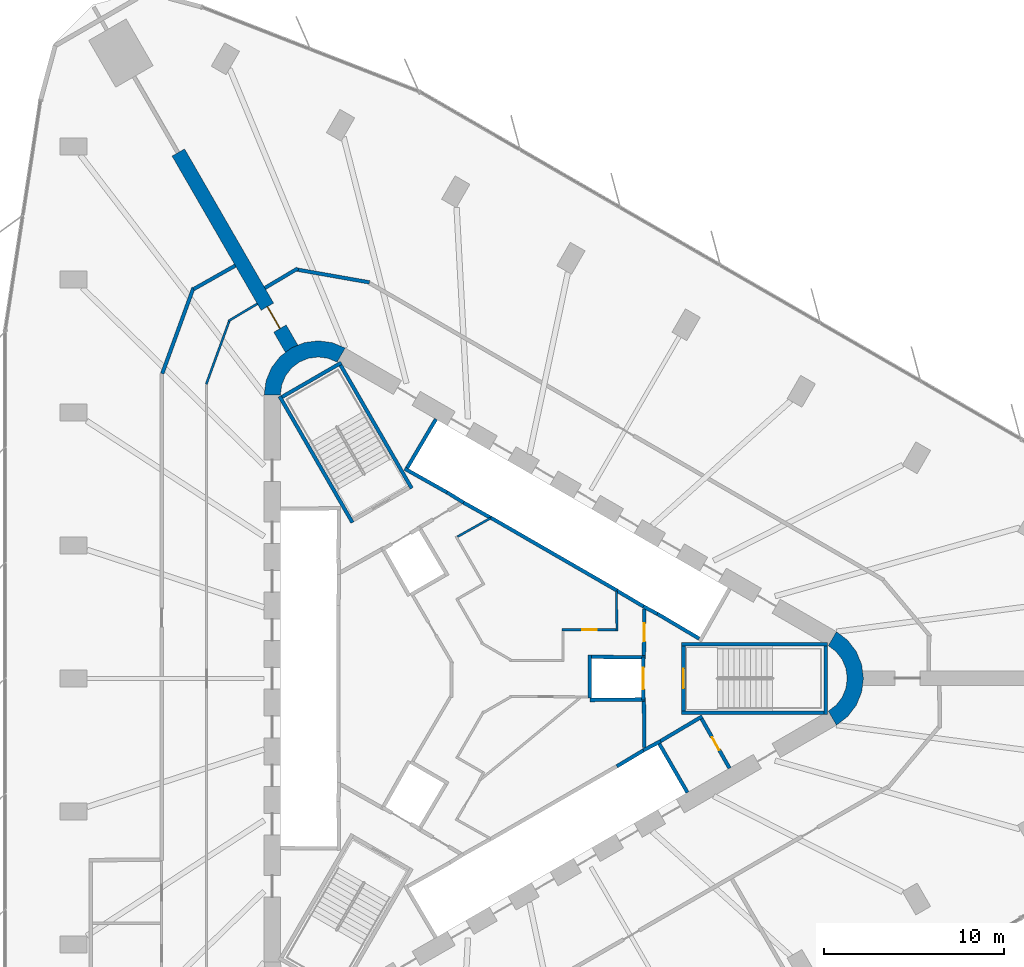
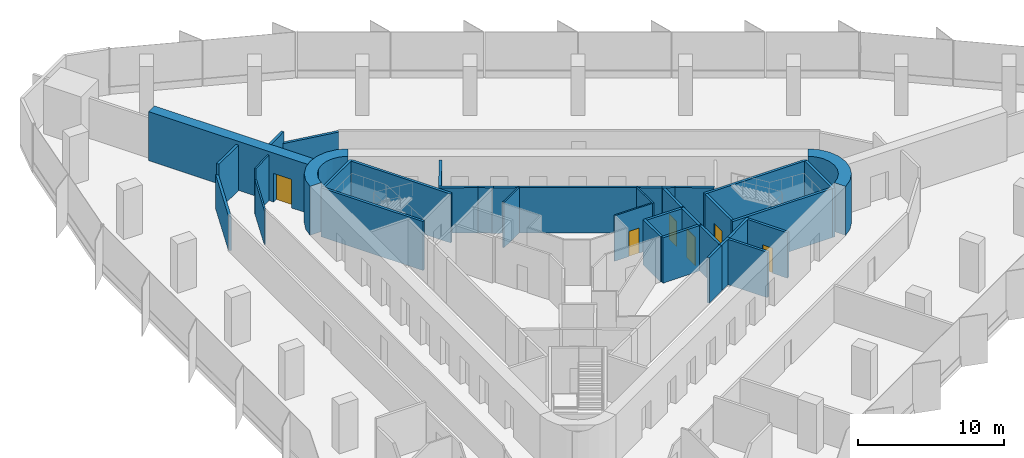
# One storey, part 12 of 15: 38 walls, 6 doors, 6 openings.
"""IFC4 building model written with IfcOpenShell, lengths in metres."""

import ifcopenshell
import ifcopenshell.guid

model = None  # the IFC model being written
_history = None  # IfcOwnerHistory: only IFC2X3 demands one
_inside = {}  # id of a spatial element -> (the spatial element, [elements in it])
_under = {}  # id of a project, library or spatial element -> (it, [spatial elements below it])
_declared = {}  # id of a project -> (the project, [libraries it declares])
_typed = {}  # id of a type object -> (the type object, [elements of that type])
_made_of = {}  # id of a material, layer set ... -> (it, [elements and type objects made of it])


def new_model(schema):
    """Start an empty IFC model of exactly this schema.

    Asked for "IFC4X3", IfcOpenShell would pick the latest addendum, in which some entities
    have other attributes; the version numbers below select the first issue.
    IFC2X3 requires an IfcOwnerHistory on every rooted entity: one is made here for all.
    """
    global model, _history
    if schema == "IFC4X3":
        model = ifcopenshell.file(schema_version=(4, 3, 0, 0))
    else:
        model = ifcopenshell.file(schema=schema)
    _inside.clear()
    _under.clear()
    _declared.clear()
    _typed.clear()
    _made_of.clear()
    _history = None
    if model.schema == "IFC2X3":
        org = make("IfcOrganization", Name="unknown")
        user = make(
            "IfcPersonAndOrganization",
            ThePerson=make("IfcPerson", FamilyName="unknown"),
            TheOrganization=org,
        )
        app = make(
            "IfcApplication",
            ApplicationDeveloper=org,
            Version="unknown",
            ApplicationFullName="unknown",
            ApplicationIdentifier="unknown",
        )
        _history = make(
            "IfcOwnerHistory",
            OwningUser=user,
            OwningApplication=app,
            ChangeAction="ADDED",
            CreationDate=0,
        )
    return model


def make(cls, **values):
    """One entity of the class cls with the attributes given. An attribute that is None is left unset."""
    return model.create_entity(
        cls, **{name: value for name, value in values.items() if value is not None}
    )


def rooted(cls, **values):
    """An entity with a GlobalId (a new one), such as an element, a storey or a relation."""
    return make(cls, GlobalId=ifcopenshell.guid.new(), OwnerHistory=_history, **values)


def si_unit(unit_type, name, prefix=None):
    """IfcSIUnit, for example si_unit("LENGTHUNIT", "METRE", prefix="MILLI")."""
    return make("IfcSIUnit", UnitType=unit_type, Prefix=prefix, Name=name)


def assignment(units):
    """IfcUnitAssignment: the units of a project."""
    return None if units is None else make("IfcUnitAssignment", Units=units)


def point(xyz):
    """IfcCartesianPoint."""
    return None if xyz is None else make("IfcCartesianPoint", Coordinates=xyz)


def direction(xyz):
    """IfcDirection."""
    return None if xyz is None else make("IfcDirection", DirectionRatios=xyz)


def frame(location, z_axis=None, x_axis=None):
    """IfcAxis2Placement3D, a coordinate frame: its origin and axes. An axis left out is left unset."""
    return make(
        "IfcAxis2Placement3D",
        Location=point(location),
        Axis=direction(z_axis),
        RefDirection=direction(x_axis),
    )


def frame_2d(location, x_axis=None):
    """IfcAxis2Placement2D, a coordinate frame in the plane: its origin and x axis."""
    return make(
        "IfcAxis2Placement2D", Location=point(location), RefDirection=direction(x_axis)
    )


def origin():
    """The frame at (0, 0, 0) with its axes left unset."""
    return frame((0.0, 0.0, 0.0))


def place(relative_to, where):
    """IfcLocalPlacement: puts the frame where relative to a parent placement (None: the world)."""
    return make(
        "IfcLocalPlacement", PlacementRelTo=relative_to, RelativePlacement=where
    )


def context(
    kind, dimensions, precision=None, world=None, true_north=None, identifier=None
):
    """IfcGeometricRepresentationContext, for example the 3D "Model" context."""
    return make(
        "IfcGeometricRepresentationContext",
        ContextIdentifier=identifier,
        ContextType=kind,
        CoordinateSpaceDimension=dimensions,
        Precision=precision,
        WorldCoordinateSystem=world,
        TrueNorth=true_north,
    )


def subcontext(parent, identifier, kind, view, scale=None):
    """IfcGeometricRepresentationSubContext, for example "Body" below "Model"."""
    return make(
        "IfcGeometricRepresentationSubContext",
        ContextIdentifier=identifier,
        ContextType=kind,
        ParentContext=parent,
        TargetScale=scale,
        TargetView=view,
    )


def project(units=None, contexts=None):
    """IfcProject with its units and contexts."""
    return rooted(
        "IfcProject",
        Name="project",
        RepresentationContexts=contexts,
        UnitsInContext=assignment(units),
    )


def spatial(cls, under=None, at=None, **own):
    """A site, building, storey or space (cls), placed at a placement, below another one or the project."""
    s = rooted(cls, ObjectPlacement=at, **own)
    if under is not None:
        _under.setdefault(under.id(), (under, []))[1].append(s)
    return s


def polyline(points):
    """IfcPolyline through the points."""
    return make("IfcPolyline", Points=[point(p) for p in points])


def profile(cls, at=None, kind="AREA", **sizes):
    """A parametric profile (cls). Its sizes go by their IFC names, for example OverallWidth=200.0."""
    return make(cls, ProfileType=kind, Position=at, **sizes)


def rectangle(**sizes):
    """IfcRectangleProfileDef."""
    return profile("IfcRectangleProfileDef", **sizes)


def outline(outer, holes=None, kind="AREA"):
    """IfcArbitraryClosedProfileDef: a profile drawn as a closed curve; with holes, ...WithVoids."""
    if holes is None:
        return make("IfcArbitraryClosedProfileDef", ProfileType=kind, OuterCurve=outer)
    return make(
        "IfcArbitraryProfileDefWithVoids",
        ProfileType=kind,
        OuterCurve=outer,
        InnerCurves=holes,
    )


def extrude(swept, where, along, depth):
    """IfcExtrudedAreaSolid: the profile swept, set in the frame where, extruded along a direction by depth."""
    return make(
        "IfcExtrudedAreaSolid",
        SweptArea=swept,
        Position=where,
        ExtrudedDirection=direction(along),
        Depth=depth,
    )


def shape(context_of_items, identifier, shape_type, items):
    """IfcShapeRepresentation: the items that make up one representation, for example the "Body"."""
    return make(
        "IfcShapeRepresentation",
        ContextOfItems=context_of_items,
        RepresentationIdentifier=identifier,
        RepresentationType=shape_type,
        Items=items,
    )


def material(Name=None, Category=None):
    """IfcMaterial."""
    return make("IfcMaterial", Name=Name, Category=Category)


def layer(
    of_material, thickness, ventilated=None, Name=None, Category=None, Priority=None
):
    """IfcMaterialLayer: one layer of a wall or slab, of a material (None: an air gap)."""
    return make(
        "IfcMaterialLayer",
        Material=of_material,
        LayerThickness=thickness,
        IsVentilated=ventilated,
        Name=Name,
        Category=Category,
        Priority=Priority,
    )


def layer_set(layers, Name=None):
    """IfcMaterialLayerSet."""
    return make("IfcMaterialLayerSet", MaterialLayers=layers, LayerSetName=Name)


def made_of(thing, what):
    """Note that an element or type object is made of a material, layer set ...; save() writes the relation."""
    if what is not None:
        _made_of.setdefault(what.id(), (what, []))[1].append(thing)
    return thing


def type_object(cls, material=None, **own):
    """A type object (cls), such as IfcWallType, which elements share."""
    return made_of(rooted(cls, **own), material)


def element(
    cls,
    number,
    at=None,
    inside=None,
    cuts=None,
    type_object=None,
    material=None,
    context=None,
    identifier="Body",
    shape_type=None,
    held_by="IfcProductDefinitionShape",
    body=None,
    shapes=None,
    **own,
):
    """One element of the class cls, such as IfcWall. Its Tag is "e" and its number.

    at: its placement. inside: the storey or other place that contains it. cuts: it is an
    opening in that element (IfcRelVoidsElement). A single representation is given by context,
    identifier, shape_type and body (its items); several are given by shapes. held_by: the class
    of the entity that holds the representations. save() writes the other relations.
    """
    e = rooted(cls, Tag="e%d" % number, ObjectPlacement=at, **own)
    if body is not None:
        shapes = [shape(context, identifier, shape_type, body)]
    if shapes is not None:
        e.Representation = make(held_by, Representations=shapes)
    if inside is not None:
        _inside.setdefault(inside.id(), (inside, []))[1].append(e)
    if cuts is not None:
        rooted(
            "IfcRelVoidsElement", RelatingBuildingElement=cuts, RelatedOpeningElement=e
        )
    if type_object is not None:
        _typed.setdefault(type_object.id(), (type_object, []))[1].append(e)
    return made_of(e, material)


def fill(opening, filler):
    """IfcRelFillsElement: the door or window that sits in an opening."""
    return rooted(
        "IfcRelFillsElement",
        RelatingOpeningElement=opening,
        RelatedBuildingElement=filler,
    )


def aggregate(whole, parts):
    """IfcRelAggregates: a whole, such as a stair, and the parts it consists of."""
    return rooted("IfcRelAggregates", RelatingObject=whole, RelatedObjects=parts)


def save(model, path):
    """Write the relations noted so far, then the file.

    IfcRelAggregates (storeys below a building ...), IfcRelContainedInSpatialStructure (elements
    in a storey), IfcRelDefinesByType, IfcRelAssociatesMaterial and IfcRelDeclares: one each for
    every whole, place, type object, material and project.
    """
    for whole, parts in _under.values():
        aggregate(whole, parts)
    for where, things in _inside.values():
        rooted(
            "IfcRelContainedInSpatialStructure",
            RelatedElements=things,
            RelatingStructure=where,
        )
    for kind, things in _typed.values():
        rooted("IfcRelDefinesByType", RelatedObjects=things, RelatingType=kind)
    for what, things in _made_of.values():
        rooted("IfcRelAssociatesMaterial", RelatedObjects=things, RelatingMaterial=what)
    for by, libraries in _declared.values():
        rooted("IfcRelDeclares", RelatingContext=by, RelatedDefinitions=libraries)
    model.write(path)


model = new_model("IFC4")

# Units and contexts
model_context = context("Model", 3, precision=1e-05, world=origin(), true_north=direction((0.0, 1.0)))
body_context = subcontext(model_context, "Body", "Model", "MODEL_VIEW")
ifc_project = project(units=[si_unit("LENGTHUNIT", "METRE"), si_unit("AREAUNIT", "SQUARE_METRE"), si_unit("VOLUMEUNIT", "CUBIC_METRE"), si_unit("PLANEANGLEUNIT", "RADIAN"), si_unit("MASSUNIT", "GRAM", prefix="KILO")], contexts=[model_context])

# Site, building, storey
site_placement = place(None, origin())
site = spatial("IfcSite", under=ifc_project, at=site_placement, CompositionType="ELEMENT")
building_placement = place(site_placement, origin())
building = spatial("IfcBuilding", under=site, at=building_placement, Name="Tanit Gate Tower", CompositionType="ELEMENT")
storey_placement = place(building_placement, frame((0.0, 0.0, 139.800048828125)))
storey = spatial("IfcBuildingStorey", under=building, at=storey_placement, Name="L30", CompositionType="ELEMENT", Elevation=139.800048828125)

# Wall, opening, door
ifc_material_1 = material(Name="Concrete C60/75", Category="concrete")
ifc_layer_1 = layer(ifc_material_1, 0.800048828125)
ifc_layer_set_1 = layer_set([ifc_layer_1], Name="BUTTRESS FIN 800 C60/75")
wall_type_1 = type_object("IfcWallType", Name="BUTTRESS FIN 800 C60/75", PredefinedType="SHEAR", material=ifc_layer_set_1)
wall_1_placement = place(storey_placement, frame((-10.574951171875, 18.31640625, 0.0), z_axis=(0.0, 0.0, 1.0), x_axis=(-0.500005394759, 0.866022289097, 0.0)))
wall_1 = element("IfcWall", 1, at=wall_1_placement, inside=storey, type_object=wall_type_1, Name="BUTTRESS FIN", PredefinedType="SHEAR", context=body_context, shape_type="SweptSolid", body=[
    extrude(rectangle(XDim=12.597900390625, YDim=0.800048828125, at=frame_2d((6.298828125, 0.0))), origin(), (0.0, 0.0, 1.0), 4.099853515625),
])
opening_1_placement = place(wall_1_placement, frame((1.300048828125, 0.0, 0.0)))
opening_1 = element("IfcOpeningElement", 2, at=opening_1_placement, cuts=wall_1, Name="Opening P14-S07-F-NW-1", PredefinedType="OPENING", context=body_context, shape_type="SweptSolid", body=[
    extrude(rectangle(XDim=1.39990234375, YDim=2.39990234375, at=frame_2d((0.699951171875, 1.199951171875))), frame((0.0, 0.41015625, 0.0), z_axis=(0.0, -1.0, 0.0), x_axis=(1.0, 0.0, 0.0)), (0.0, 0.0, 1.0), 0.820068359375),
])
ifc_material_2 = material(Name="Timber door leaf", Category="wood")
door_type_1 = type_object("IfcDoorType", Name="INT-DOOR-FIN-PAIR-1400", OperationType="NOTDEFINED", PredefinedType="NOTDEFINED", material=ifc_material_2)
door_1_placement = place(opening_1_placement, origin())
door_1 = element("IfcDoor", 3, at=door_1_placement, inside=storey, type_object=door_type_1, Name="Door P14-S07-F-NW-1", OperationType="DOUBLE_DOOR_SINGLE_SWING", OverallHeight=2.39990234375, OverallWidth=1.39990234375, PredefinedType="NOTDEFINED", context=body_context, shape_type="SweptSolid", body=[
    extrude(rectangle(XDim=1.39990234375, YDim=2.39990234375, at=frame_2d((0.699951171875, 1.199951171875))), frame((0.0, 0.02490234375, 0.0), z_axis=(0.0, -1.0, 0.0), x_axis=(1.0, 0.0, 0.0)), (0.0, 0.0, 1.0), 0.050048828125),
])
fill(opening_1, door_1)

# Walls
ifc_material_3 = material(Name="Concrete C60/75", Category="concrete")
ifc_layer_2 = layer(ifc_material_3, 0.89990234375)
ifc_layer_set_2 = layer_set([ifc_layer_2], Name="CORE WALL 900 C60/75")
wall_type_2 = type_object("IfcWallType", Name="CORE WALL 900 C60/75", PredefinedType="SHEAR", material=ifc_layer_set_2)
wall_2_placement = place(storey_placement, origin())
element("IfcWall", 4, at=wall_2_placement, inside=storey, type_object=wall_type_2, Name="CORE WALL CORNER", PredefinedType="SHEAR", context=body_context, shape_type="SweptSolid", body=[
    extrude(outline(polyline([(-7.60009765625, 18.359619140625), (-8.323486328125, 18.659423828125), (-9.10009765625, 18.76171875), (-9.87646484375, 18.659423828125), (-10.60009765625, 18.359619140625), (-11.22119140625, 17.883056640625), (-11.697998046875, 17.26171875), (-11.997802734375, 16.5380859375), (-12.10009765625, 15.76171875), (-11.199951171875, 15.76171875), (-11.12841796875, 16.30517578125), (-10.918701171875, 16.811767578125), (-10.5849609375, 17.24658203125), (-10.14990234375, 17.580322265625), (-9.6435546875, 17.7900390625), (-9.10009765625, 17.86181640625), (-8.556396484375, 17.7900390625), (-8.050048828125, 17.580322265625), (-7.60009765625, 18.359619140625)])), origin(), (0.0, 0.0, 1.0), 4.099853515625),
])
wall_3_placement = place(storey_placement, origin())
element("IfcWall", 5, at=wall_3_placement, inside=storey, type_object=wall_type_2, Name="CORE WALL CORNER", PredefinedType="SHEAR", context=body_context, shape_type="SweptSolid", body=[
    extrude(outline(polyline([(19.699951171875, -2.59814453125), (20.3212890625, -2.121337890625), (20.798095703125, -1.5), (21.097900390625, -0.776611328125), (21.199951171875, 0.0), (21.097900390625, 0.776611328125), (20.798095703125, 1.5), (20.3212890625, 2.121337890625), (19.699951171875, 2.59814453125), (19.25, 1.818603515625), (19.684814453125, 1.48486328125), (20.018798828125, 1.050048828125), (20.228515625, 0.54345703125), (20.300048828125, 0.0), (20.228515625, -0.54345703125), (20.018798828125, -1.050048828125), (19.684814453125, -1.48486328125), (19.25, -1.818603515625), (19.699951171875, -2.59814453125)])), origin(), (0.0, 0.0, 1.0), 4.099853515625),
])
ifc_material_4 = material(Name="Fire-rated gypsum board partition")
ifc_layer_3 = layer(ifc_material_4, 0.199951171875)
ifc_layer_set_3 = layer_set([ifc_layer_3], Name="INT-WALL-COMPARTMENT")
wall_type_3 = type_object("IfcWallType", Name="INT-WALL-COMPARTMENT", PredefinedType="PARTITIONING", material=ifc_layer_set_3)
wall_4_placement = place(storey_placement, frame((12.244873046875, -2.10888671875, 0.0), z_axis=(0.0, 0.0, 1.0), x_axis=(-0.860414880418, -0.509594185166, 0.0)))
element("IfcWall", 6, at=wall_4_placement, inside=storey, type_object=wall_type_3, Name="Wall Compartment W057", PredefinedType="PARTITIONING", context=body_context, shape_type="SweptSolid", body=[
    extrude(rectangle(XDim=2.7001953125, YDim=0.199951171875, at=frame_2d((1.35009765625, 0.0))), origin(), (0.0, 0.0, 1.0), 3.800048828125),
])

# Wall, opening, door
wall_5_placement = place(storey_placement, frame((13.758056640625, -4.989501953125, 0.0), z_axis=(0.0, 0.0, 1.0), x_axis=(-0.491993409184, 0.87059892334, 0.0)))
wall_5 = element("IfcWall", 7, at=wall_5_placement, inside=storey, type_object=wall_type_3, Name="Wall Compartment W058", PredefinedType="PARTITIONING", context=body_context, shape_type="SweptSolid", body=[
    extrude(rectangle(XDim=3.150146484375, YDim=0.199951171875, at=frame_2d((1.5751953125, 0.0))), origin(), (0.0, 0.0, 1.0), 3.800048828125),
])
opening_2_placement = place(wall_5_placement, frame((1.175048828125, 0.0, 0.0)))
opening_2 = element("IfcOpeningElement", 8, at=opening_2_placement, cuts=wall_5, Name="Opening R08-S07-14", PredefinedType="OPENING", context=body_context, shape_type="SweptSolid", body=[
    extrude(rectangle(XDim=0.800048828125, YDim=2.10009765625, at=frame_2d((0.39990234375, 1.050048828125))), frame((0.0, 0.10986328125, 0.0), z_axis=(0.0, -1.0, 0.0), x_axis=(1.0, 0.0, 0.0)), (0.0, 0.0, 1.0), 0.219970703125),
])
ifc_material_5 = material(Name="Timber door leaf", Category="wood")
door_type_2 = type_object("IfcDoorType", Name="INT-DOOR-RISER-800", OperationType="NOTDEFINED", PredefinedType="USERDEFINED", material=ifc_material_5)
door_2_placement = place(opening_2_placement, origin())
door_2 = element("IfcDoor", 9, at=door_2_placement, inside=storey, type_object=door_type_2, Name="Door R08-S07-14", ObjectType="FIRE DOOR", OperationType="SINGLE_SWING_LEFT", OverallHeight=2.10009765625, OverallWidth=0.800048828125, PredefinedType="USERDEFINED", context=body_context, shape_type="SweptSolid", body=[
    extrude(rectangle(XDim=0.800048828125, YDim=2.10009765625, at=frame_2d((0.39990234375, 1.050048828125))), frame((0.0, 0.02490234375, 0.0), z_axis=(0.0, -1.0, 0.0), x_axis=(1.0, 0.0, 0.0)), (0.0, 0.0, 1.0), 0.050048828125),
])
fill(opening_2, door_2)

# Wall
wall_6_placement = place(storey_placement, frame((9.02880859375, -3.8505859375, 0.0), z_axis=(0.0, 0.0, 1.0), x_axis=(-0.010784614026, 0.999941844359, 0.0)))
element("IfcWall", 10, at=wall_6_placement, inside=storey, type_object=wall_type_3, Name="Wall Compartment W059", PredefinedType="PARTITIONING", context=body_context, shape_type="SweptSolid", body=[
    extrude(rectangle(XDim=2.580810546875, YDim=0.199951171875, at=frame_2d((1.29052734375, 0.0))), origin(), (0.0, 0.0, 1.0), 3.800048828125),
])

# Wall, opening, door
wall_7_placement = place(storey_placement, frame((9.0009765625, 1.27001953125, 0.0), z_axis=(0.0, 0.0, 1.0), x_axis=(0.010783593937, 0.99994185536, 0.0)))
wall_7 = element("IfcWall", 11, at=wall_7_placement, inside=storey, type_object=wall_type_3, Name="Wall Compartment W060", PredefinedType="PARTITIONING", context=body_context, shape_type="SweptSolid", body=[
    extrude(rectangle(XDim=2.5810546875, YDim=0.199951171875, at=frame_2d((1.29052734375, 0.0))), origin(), (0.0, 0.0, 1.0), 3.800048828125),
])
opening_3_placement = place(wall_7_placement, frame((0.79052734375, 0.0, 0.0)))
opening_3 = element("IfcOpeningElement", 12, at=opening_3_placement, cuts=wall_7, Name="Opening F10-S07-02", PredefinedType="OPENING", context=body_context, shape_type="SweptSolid", body=[
    extrude(rectangle(XDim=1.0, YDim=2.10009765625, at=frame_2d((0.5, 1.050048828125))), frame((0.0, 0.10986328125, 0.0), z_axis=(0.0, -1.0, 0.0), x_axis=(1.0, 0.0, 0.0)), (0.0, 0.0, 1.0), 0.219970703125),
])
ifc_material_6 = material(Name="Fire-rated steel door leaf", Category="steel")
door_type_3 = type_object("IfcDoorType", Name="INT-DOOR-FIRE-1000", OperationType="NOTDEFINED", PredefinedType="USERDEFINED", material=ifc_material_6)
door_3_placement = place(opening_3_placement, origin())
door_3 = element("IfcDoor", 13, at=door_3_placement, inside=storey, type_object=door_type_3, Name="Door F10-S07-02", ObjectType="FIRE DOOR", OperationType="SINGLE_SWING_LEFT", OverallHeight=2.10009765625, OverallWidth=1.0, PredefinedType="USERDEFINED", context=body_context, shape_type="SweptSolid", body=[
    extrude(rectangle(XDim=1.0, YDim=2.10009765625, at=frame_2d((0.5, 1.050048828125))), frame((0.0, 0.02490234375, 0.0), z_axis=(0.0, -1.0, 0.0), x_axis=(1.0, 0.0, 0.0)), (0.0, 0.0, 1.0), 0.050048828125),
])
fill(opening_3, door_3)

# Walls
wall_8_placement = place(storey_placement, frame((-16.02685546875, 21.717529296875, 0.0), z_axis=(0.0, 0.0, 1.0), x_axis=(-0.342039923135, -0.939685421288, 0.0)))
element("IfcWall", 14, at=wall_8_placement, inside=storey, type_object=wall_type_3, Name="Wall Compartment W092", PredefinedType="PARTITIONING", context=body_context, shape_type="SweptSolid", body=[
    extrude(rectangle(XDim=5.084228515625, YDim=0.199951171875, at=frame_2d((2.5419921875, 0.0))), origin(), (0.0, 0.0, 1.0), 2.8798828125),
])
wall_9_placement = place(storey_placement, frame((-13.70654296875, 22.940185546875, 0.0), z_axis=(0.0, 0.0, 1.0), x_axis=(-0.870827475384, -0.491588759143, 0.0)))
element("IfcWall", 15, at=wall_9_placement, inside=storey, type_object=wall_type_3, Name="Wall Compartment W093", PredefinedType="PARTITIONING", context=body_context, shape_type="SweptSolid", body=[
    extrude(rectangle(XDim=2.661865234375, YDim=0.199951171875, at=frame_2d((1.3310546875, 0.0))), origin(), (0.0, 0.0, 1.0), 3.800048828125),
])
wall_10_placement = place(storey_placement, frame((-10.228271484375, 22.786376953125, 0.0), z_axis=(0.0, 0.0, 1.0), x_axis=(-0.859754348804, -0.510707802674, 0.0)))
element("IfcWall", 16, at=wall_10_placement, inside=storey, type_object=wall_type_3, Name="Wall Compartment W100", PredefinedType="PARTITIONING", context=body_context, shape_type="SweptSolid", body=[
    extrude(rectangle(XDim=2.135498046875, YDim=0.199951171875, at=frame_2d((1.06787109375, 0.0))), origin(), (0.0, 0.0, 1.0), 3.800048828125),
])
wall_11_placement = place(storey_placement, frame((-6.25048828125, 22.008056640625, 0.0), z_axis=(0.0, 0.0, 1.0), x_axis=(-0.984810577443, 0.173632158762, 0.0)))
element("IfcWall", 17, at=wall_11_placement, inside=storey, type_object=wall_type_3, Name="Wall Compartment W101", PredefinedType="PARTITIONING", context=body_context, shape_type="SweptSolid", body=[
    extrude(rectangle(XDim=4.091796875, YDim=0.199951171875, at=frame_2d((2.0458984375, 0.0))), origin(), (0.0, 0.0, 1.0), 2.8798828125),
])
ifc_material_7 = material(Name="Gypsum board partition")
ifc_layer_4 = layer(ifc_material_7, 0.1201171875)
ifc_layer_set_4 = layer_set([ifc_layer_4], Name="INT-WALL-PARTITION")
wall_type_4 = type_object("IfcWallType", Name="INT-WALL-PARTITION", PredefinedType="PARTITIONING", material=ifc_layer_set_4)
wall_12_placement = place(storey_placement, frame((7.500732421875, 2.639892578125, 0.0), z_axis=(0.0, 0.0, 1.0), x_axis=(-0.01174194727, 0.999931060961, 0.0)))
element("IfcWall", 18, at=wall_12_placement, inside=storey, type_object=wall_type_4, Name="Wall Partition W077", PredefinedType="PARTITIONING", context=body_context, shape_type="SweptSolid", body=[
    extrude(rectangle(XDim=2.224853515625, YDim=0.1201171875, at=frame_2d((1.1123046875, 0.0))), origin(), (0.0, 0.0, 1.0), 3.800048828125),
])

# Wall, opening, door
wall_13_placement = place(storey_placement, frame((4.43994140625, 2.699951171875, 0.0), z_axis=(0.0, 0.0, 1.0), x_axis=(1.0, 0.0, 0.0)))
wall_13 = element("IfcWall", 19, at=wall_13_placement, inside=storey, type_object=wall_type_4, Name="Wall Partition W078", PredefinedType="PARTITIONING", context=body_context, shape_type="SweptSolid", body=[
    extrude(rectangle(XDim=3.0, YDim=0.1201171875, at=frame_2d((1.5, 0.0))), origin(), (0.0, 0.0, 1.0), 3.800048828125),
])
opening_4_placement = place(wall_13_placement, frame((1.1298828125, 0.0, 0.0)))
opening_4 = element("IfcOpeningElement", 20, at=opening_4_placement, cuts=wall_13, Name="Opening R08-S07-13", PredefinedType="OPENING", context=body_context, shape_type="SweptSolid", body=[
    extrude(rectangle(XDim=0.800048828125, YDim=2.10009765625, at=frame_2d((0.39990234375, 1.050048828125))), frame((0.0, 0.070068359375, 0.0), z_axis=(0.0, -1.0, 0.0), x_axis=(1.0, 0.0, 0.0)), (0.0, 0.0, 1.0), 0.14013671875),
])
door_4_placement = place(opening_4_placement, origin())
door_4 = element("IfcDoor", 21, at=door_4_placement, inside=storey, type_object=door_type_2, Name="Door R08-S07-13", ObjectType="FIRE DOOR", OperationType="SINGLE_SWING_RIGHT", OverallHeight=2.10009765625, OverallWidth=0.800048828125, PredefinedType="USERDEFINED", context=body_context, shape_type="SweptSolid", body=[
    extrude(rectangle(XDim=0.800048828125, YDim=2.10009765625, at=frame_2d((0.39990234375, 1.050048828125))), frame((0.0, 0.02490234375, 0.0), z_axis=(0.0, -1.0, 0.0), x_axis=(1.0, 0.0, 0.0)), (0.0, 0.0, 1.0), 0.050048828125),
])
fill(opening_4, door_4)

# Walls
wall_14_placement = place(storey_placement, frame((0.475341796875, 8.9052734375, 0.0), z_axis=(0.0, 0.0, 1.0), x_axis=(-0.871832572129, -0.489804007921, 0.0)))
element("IfcWall", 22, at=wall_14_placement, inside=storey, type_object=wall_type_4, Name="Wall Partition W085", PredefinedType="PARTITIONING", context=body_context, shape_type="SweptSolid", body=[
    extrude(rectangle(XDim=2.1044921875, YDim=0.1201171875, at=frame_2d((1.05224609375, 0.0))), origin(), (0.0, 0.0, 1.0), 3.800048828125),
])
wall_15_placement = place(storey_placement, frame((-12.481689453125, 20.819091796875, 0.0), z_axis=(0.0, 0.0, 1.0), x_axis=(-0.85913200524, -0.511754040113, 0.0)))
element("IfcWall", 23, at=wall_15_placement, inside=storey, type_object=wall_type_4, Name="Wall Partition W086", PredefinedType="PARTITIONING", context=body_context, shape_type="SweptSolid", body=[
    extrude(rectangle(XDim=1.87451171875, YDim=0.1201171875, at=frame_2d((0.937255859375, 0.0))), origin(), (0.0, 0.0, 1.0), 3.800048828125),
])
wall_16_placement = place(storey_placement, frame((-14.038330078125, 19.87158203125, 0.0), z_axis=(0.0, 0.0, 1.0), x_axis=(-0.342035870777, -0.939686896313, 0.0)))
element("IfcWall", 24, at=wall_16_placement, inside=storey, type_object=wall_type_4, Name="Wall Partition W087", PredefinedType="PARTITIONING", context=body_context, shape_type="SweptSolid", body=[
    extrude(rectangle(XDim=3.748779296875, YDim=0.1201171875, at=frame_2d((1.87451171875, 0.0))), origin(), (0.0, 0.0, 1.0), 2.8798828125),
])
ifc_material_8 = material(Name="Gypsum shaft wall system")
ifc_layer_5 = layer(ifc_material_8, 0.199951171875)
ifc_layer_set_5 = layer_set([ifc_layer_5], Name="INT-WALL-SHAFT")
wall_type_5 = type_object("IfcWallType", Name="INT-WALL-SHAFT", PredefinedType="PLUMBINGWALL", material=ifc_layer_set_5)
wall_17_placement = place(storey_placement, frame((7.497314453125, 4.885986328125, 0.0), z_axis=(0.0, 0.0, 1.0), x_axis=(-0.866030989016, 0.499990325971, 0.0)))
element("IfcWall", 25, at=wall_17_placement, inside=storey, type_object=wall_type_5, Name="Wall Shaft W003", PredefinedType="PLUMBINGWALL", context=body_context, shape_type="SweptSolid", body=[
    extrude(rectangle(XDim=8.099853515625, YDim=0.199951171875, at=frame_2d((4.0498046875, 0.0))), origin(), (0.0, 0.0, 1.0), 3.800048828125),
])
wall_18_placement = place(storey_placement, frame((12.072998046875, 2.2109375, 0.0), z_axis=(0.0, 0.0, 1.0), x_axis=(-0.860438357912, 0.509554542943, 0.0)))
element("IfcWall", 26, at=wall_18_placement, inside=storey, type_object=wall_type_5, Name="Wall Shaft W014", PredefinedType="PLUMBINGWALL", context=body_context, shape_type="SweptSolid", body=[
    extrude(rectangle(XDim=2.700439453125, YDim=0.199951171875, at=frame_2d((1.35009765625, 0.0))), origin(), (0.0, 0.0, 1.0), 3.800048828125),
])
wall_19_placement = place(storey_placement, frame((9.74755859375, 3.583251953125, 0.0), z_axis=(0.0, 0.0, 1.0), x_axis=(-0.880917147855, 0.473270513147, 0.0)))
element("IfcWall", 27, at=wall_19_placement, inside=storey, type_object=wall_type_5, Name="Wall Shaft W015", PredefinedType="PLUMBINGWALL", context=body_context, shape_type="SweptSolid", body=[
    extrude(rectangle(XDim=0.8779296875, YDim=0.199951171875, at=frame_2d((0.43896484375, 0.0))), origin(), (0.0, 0.0, 1.0), 3.800048828125),
])
wall_20_placement = place(storey_placement, frame((9.07958984375, 3.93701171875, 0.0), z_axis=(0.0, 0.0, 1.0), x_axis=(-0.859981807212, 0.510324691999, 0.0)))
element("IfcWall", 28, at=wall_20_placement, inside=storey, type_object=wall_type_5, Name="Wall Shaft W016", PredefinedType="PLUMBINGWALL", context=body_context, shape_type="SweptSolid", body=[
    extrude(rectangle(XDim=1.8447265625, YDim=0.199951171875, at=frame_2d((0.92236328125, 0.0))), origin(), (0.0, 0.0, 1.0), 3.800048828125),
])
wall_21_placement = place(storey_placement, frame((-1.940673828125, 10.338623046875, 0.0), z_axis=(0.0, 0.0, 1.0), x_axis=(0.850216889117, -0.526432561171, 0.0)))
element("IfcWall", 29, at=wall_21_placement, inside=storey, type_object=wall_type_5, Name="Wall Shaft W019", PredefinedType="PLUMBINGWALL", context=body_context, shape_type="SweptSolid", body=[
    extrude(rectangle(XDim=1.078369140625, YDim=0.199951171875, at=frame_2d((0.5390625, 0.0))), origin(), (0.0, 0.0, 1.0), 3.800048828125),
])
wall_22_placement = place(storey_placement, frame((0.478271484375, 8.928466796875, 0.0), z_axis=(0.0, 0.0, 1.0), x_axis=(-0.871988740738, 0.489525929882, 0.0)))
element("IfcWall", 30, at=wall_22_placement, inside=storey, type_object=wall_type_5, Name="Wall Shaft W020", PredefinedType="PLUMBINGWALL", context=body_context, shape_type="SweptSolid", body=[
    extrude(rectangle(XDim=1.8447265625, YDim=0.199951171875, at=frame_2d((0.92236328125, 0.0))), origin(), (0.0, 0.0, 1.0), 3.800048828125),
])
wall_23_placement = place(storey_placement, frame((-4.296142578125, 11.658935546875, 0.0), z_axis=(0.0, 0.0, 1.0), x_axis=(0.871534483978, -0.490334215854, 0.0)))
element("IfcWall", 31, at=wall_23_placement, inside=storey, type_object=wall_type_5, Name="Wall Shaft W021", PredefinedType="PLUMBINGWALL", context=body_context, shape_type="SweptSolid", body=[
    extrude(rectangle(XDim=2.7001953125, YDim=0.199951171875, at=frame_2d((1.35009765625, 0.0))), origin(), (0.0, 0.0, 1.0), 3.800048828125),
])
wall_24_placement = place(storey_placement, frame((-4.158203125, 11.696044921875, 0.0), z_axis=(0.0, 0.0, 1.0), x_axis=(0.508018930956, 0.861345903683, 0.0)))
element("IfcWall", 32, at=wall_24_placement, inside=storey, type_object=wall_type_5, Name="Wall Shaft W022", PredefinedType="PLUMBINGWALL", context=body_context, shape_type="SweptSolid", body=[
    extrude(rectangle(XDim=3.150146484375, YDim=0.199951171875, at=frame_2d((1.5751953125, 0.0))), origin(), (0.0, 0.0, 1.0), 3.800048828125),
])
wall_25_placement = place(storey_placement, frame((9.794677734375, -3.52490234375, 0.0), z_axis=(0.0, 0.0, 1.0), x_axis=(0.499984717929, -0.866034226713, 0.0)))
element("IfcWall", 33, at=wall_25_placement, inside=storey, type_object=wall_type_5, Name="Wall Shaft W024", PredefinedType="PLUMBINGWALL", context=body_context, shape_type="SweptSolid", body=[
    extrude(rectangle(XDim=3.25, YDim=0.199951171875, at=frame_2d((1.625, 0.0))), origin(), (0.0, 0.0, 1.0), 3.800048828125),
])
wall_26_placement = place(storey_placement, frame((8.97412109375, -3.998779296875, 0.0), z_axis=(0.0, 0.0, 1.0), x_axis=(0.880907015104, 0.473289373154, 0.0)))
element("IfcWall", 34, at=wall_26_placement, inside=storey, type_object=wall_type_5, Name="Wall Shaft W025", PredefinedType="PLUMBINGWALL", context=body_context, shape_type="SweptSolid", body=[
    extrude(rectangle(XDim=1.078125, YDim=0.199951171875, at=frame_2d((0.5390625, 0.0))), origin(), (0.0, 0.0, 1.0), 3.800048828125),
])
wall_27_placement = place(storey_placement, frame((7.497314453125, -4.885986328125, 0.0), z_axis=(0.0, 0.0, 1.0), x_axis=(0.857516281273, 0.51445682749, 0.0)))
element("IfcWall", 35, at=wall_27_placement, inside=storey, type_object=wall_type_5, Name="Wall Shaft W026", PredefinedType="PLUMBINGWALL", context=body_context, shape_type="SweptSolid", body=[
    extrude(rectangle(XDim=1.8447265625, YDim=0.199951171875, at=frame_2d((0.92236328125, 0.0))), origin(), (0.0, 0.0, 1.0), 3.800048828125),
])

# Wall, opening, door
wall_28_placement = place(storey_placement, frame((8.969970703125, 1.199951171875, 0.0), z_axis=(0.0, 0.0, 1.0), x_axis=(0.0, -1.0, 0.0)))
wall_28 = element("IfcWall", 36, at=wall_28_placement, inside=storey, type_object=wall_type_5, Name="Wall Shaft W037", PredefinedType="PLUMBINGWALL", context=body_context, shape_type="SweptSolid", body=[
    extrude(rectangle(XDim=2.39990234375, YDim=0.199951171875, at=frame_2d((1.199951171875, 0.0))), origin(), (0.0, 0.0, 1.0), 3.800048828125),
])
opening_5_placement = place(wall_28_placement, frame((0.60009765625, 0.0, 0.0)))
opening_5 = element("IfcOpeningElement", 37, at=opening_5_placement, cuts=wall_28, Name="Opening LDFL1-L30", PredefinedType="OPENING", context=body_context, shape_type="SweptSolid", body=[
    extrude(rectangle(XDim=1.199951171875, YDim=2.39990234375, at=frame_2d((0.60009765625, 1.199951171875))), frame((0.0, 0.10986328125, 0.0), z_axis=(0.0, -1.0, 0.0), x_axis=(1.0, 0.0, 0.0)), (0.0, 0.0, 1.0), 0.219970703125),
])
ifc_material_9 = material(Name="Stainless steel sliding door leaf", Category="steel")
door_type_4 = type_object("IfcDoorType", Name="INT-DOOR-LANDING-1200", OperationType="NOTDEFINED", PredefinedType="USERDEFINED", material=ifc_material_9)
door_5_placement = place(opening_5_placement, origin())
door_5 = element("IfcDoor", 38, at=door_5_placement, inside=storey, type_object=door_type_4, Name="Door LDFL1-L30", ObjectType="LANDING DOOR", OperationType="SLIDING_TO_LEFT", OverallHeight=2.39990234375, OverallWidth=1.199951171875, PredefinedType="USERDEFINED", context=body_context, shape_type="SweptSolid", body=[
    extrude(rectangle(XDim=1.199951171875, YDim=2.39990234375, at=frame_2d((0.60009765625, 1.199951171875))), frame((0.0, 0.02490234375, 0.0), z_axis=(0.0, -1.0, 0.0), x_axis=(1.0, 0.0, 0.0)), (0.0, 0.0, 1.0), 0.050048828125),
])
fill(opening_5, door_5)

# Walls
wall_29_placement = place(storey_placement, frame((9.10009765625, -1.1689453125, 0.0), z_axis=(0.0, 0.0, 1.0), x_axis=(-0.999949988, -0.010001074852, 0.0)))
element("IfcWall", 39, at=wall_29_placement, inside=storey, type_object=wall_type_5, Name="Wall Shaft W038", PredefinedType="PLUMBINGWALL", context=body_context, shape_type="SweptSolid", body=[
    extrude(rectangle(XDim=3.100341796875, YDim=0.199951171875, at=frame_2d((1.55029296875, 0.0))), origin(), (0.0, 0.0, 1.0), 3.800048828125),
])
wall_30_placement = place(storey_placement, frame((6.0, -1.089599609375, 0.0), z_axis=(0.0, 0.0, 1.0), x_axis=(0.0, 1.0, 0.0)))
element("IfcWall", 40, at=wall_30_placement, inside=storey, type_object=wall_type_5, Name="Wall Shaft W039", PredefinedType="PLUMBINGWALL", context=body_context, shape_type="SweptSolid", body=[
    extrude(rectangle(XDim=2.3896484375, YDim=0.199951171875, at=frame_2d((1.19482421875, 0.0))), origin(), (0.0, 0.0, 1.0), 3.800048828125),
])
wall_31_placement = place(storey_placement, frame((9.10009765625, 1.1689453125, 0.0), z_axis=(0.0, 0.0, 1.0), x_axis=(-0.99994990606, 0.010009264196, 0.0)))
element("IfcWall", 41, at=wall_31_placement, inside=storey, type_object=wall_type_5, Name="Wall Shaft W040", PredefinedType="PLUMBINGWALL", context=body_context, shape_type="SweptSolid", body=[
    extrude(rectangle(XDim=3.000244140625, YDim=0.199951171875, at=frame_2d((1.5, 0.0))), origin(), (0.0, 0.0, 1.0), 3.800048828125),
])
ifc_material_10 = material(Name="Concrete C40/50", Category="concrete")
ifc_layer_6 = layer(ifc_material_10, 0.199951171875)
ifc_layer_set_6 = layer_set([ifc_layer_6], Name="INT-WALL-STAIR")
wall_type_6 = type_object("IfcWallType", Name="INT-WALL-STAIR", PredefinedType="SHEAR", material=ifc_layer_set_6)
wall_32_placement = place(storey_placement, frame((19.199951171875, 1.89990234375, -0.300048828125), z_axis=(0.0, 0.0, 1.0), x_axis=(-1.0, 0.0, 0.0)))
element("IfcWall", 42, at=wall_32_placement, inside=storey, type_object=wall_type_6, Name="Wall Stair W033", PredefinedType="SHEAR", context=body_context, shape_type="SweptSolid", body=[
    extrude(rectangle(XDim=8.099853515625, YDim=0.199951171875, at=frame_2d((4.0498046875, 0.0))), origin(), (0.0, 0.0, 1.0), 4.10009765625),
])
wall_33_placement = place(storey_placement, frame((19.10009765625, -2.0, -0.300048828125), z_axis=(0.0, 0.0, 1.0), x_axis=(0.0, 1.0, 0.0)))
element("IfcWall", 43, at=wall_33_placement, inside=storey, type_object=wall_type_6, Name="Wall Stair W034", PredefinedType="SHEAR", context=body_context, shape_type="SweptSolid", body=[
    extrude(rectangle(XDim=3.800048828125, YDim=0.199951171875, at=frame_2d((1.89990234375, 0.0))), origin(), (0.0, 0.0, 1.0), 4.10009765625),
])
wall_34_placement = place(storey_placement, frame((11.10009765625, -1.89990234375, -0.300048828125), z_axis=(0.0, 0.0, 1.0), x_axis=(1.0, 0.0, 0.0)))
element("IfcWall", 44, at=wall_34_placement, inside=storey, type_object=wall_type_6, Name="Wall Stair W035", PredefinedType="SHEAR", context=body_context, shape_type="SweptSolid", body=[
    extrude(rectangle(XDim=7.89990234375, YDim=0.199951171875, at=frame_2d((3.949951171875, 0.0))), origin(), (0.0, 0.0, 1.0), 4.10009765625),
])

# Wall, opening, door
wall_35_placement = place(storey_placement, frame((11.199951171875, -1.800048828125, -0.300048828125), z_axis=(0.0, 0.0, 1.0), x_axis=(0.0, 1.0, 0.0)))
wall_35 = element("IfcWall", 45, at=wall_35_placement, inside=storey, type_object=wall_type_6, Name="Wall Stair W036", PredefinedType="SHEAR", context=body_context, shape_type="SweptSolid", body=[
    extrude(rectangle(XDim=3.60009765625, YDim=0.199951171875, at=frame_2d((1.800048828125, 0.0))), origin(), (0.0, 0.0, 1.0), 4.10009765625),
])
opening_6_placement = place(wall_35_placement, frame((1.25, 0.0, 0.300048828125)))
opening_6 = element("IfcOpeningElement", 46, at=opening_6_placement, cuts=wall_35, Name="Opening S11-S07-01", PredefinedType="OPENING", context=body_context, shape_type="SweptSolid", body=[
    extrude(rectangle(XDim=1.10009765625, YDim=2.10009765625, at=frame_2d((0.550048828125, 1.050048828125))), frame((0.0, 0.10986328125, 0.0), z_axis=(0.0, -1.0, 0.0), x_axis=(1.0, 0.0, 0.0)), (0.0, 0.0, 1.0), 0.219970703125),
])
ifc_material_11 = material(Name="Timber door leaf", Category="wood")
door_type_5 = type_object("IfcDoorType", Name="INT-DOOR-STAIR-1100", OperationType="NOTDEFINED", PredefinedType="USERDEFINED", material=ifc_material_11)
door_6_placement = place(opening_6_placement, origin())
door_6 = element("IfcDoor", 47, at=door_6_placement, inside=storey, type_object=door_type_5, Name="Door S11-S07-01", ObjectType="FIRE DOOR", OperationType="SINGLE_SWING_RIGHT", OverallHeight=2.10009765625, OverallWidth=1.10009765625, PredefinedType="USERDEFINED", context=body_context, shape_type="SweptSolid", body=[
    extrude(rectangle(XDim=1.10009765625, YDim=2.10009765625, at=frame_2d((0.550048828125, 1.050048828125))), frame((0.0, 0.02490234375, 0.0), z_axis=(0.0, -1.0, 0.0), x_axis=(1.0, 0.0, 0.0)), (0.0, 0.0, 1.0), 0.050048828125),
])
fill(opening_6, door_6)

# Walls
wall_36_placement = place(storey_placement, frame((-11.245361328125, 15.677734375, -0.300048828125), z_axis=(0.0, 0.0, 1.0), x_axis=(0.499977274689, -0.866038523851, 0.0)))
element("IfcWall", 48, at=wall_36_placement, inside=storey, type_object=wall_type_6, Name="Wall Stair W041", PredefinedType="SHEAR", context=body_context, shape_type="SweptSolid", body=[
    extrude(rectangle(XDim=8.10009765625, YDim=0.199951171875, at=frame_2d((4.050048828125, 0.0))), origin(), (0.0, 0.0, 1.0), 4.10009765625),
])
wall_37_placement = place(storey_placement, frame((-7.81787109375, 17.541015625, -0.300048828125), z_axis=(0.0, 0.0, 1.0), x_axis=(-0.866044365799, -0.499967155389, 0.0)))
element("IfcWall", 49, at=wall_37_placement, inside=storey, type_object=wall_type_6, Name="Wall Stair W042", PredefinedType="SHEAR", context=body_context, shape_type="SweptSolid", body=[
    extrude(rectangle(XDim=3.800048828125, YDim=0.199951171875, at=frame_2d((1.89990234375, 0.0))), origin(), (0.0, 0.0, 1.0), 4.10009765625),
])
wall_38_placement = place(storey_placement, frame((-7.8544921875, 17.404541015625, -0.300048828125), z_axis=(0.0, 0.0, 1.0), x_axis=(0.499997992926, -0.866026562566, 0.0)))
element("IfcWall", 50, at=wall_38_placement, inside=storey, type_object=wall_type_6, Name="Wall Stair W043", PredefinedType="SHEAR", context=body_context, shape_type="SweptSolid", body=[
    extrude(rectangle(XDim=7.89990234375, YDim=0.199951171875, at=frame_2d((3.949951171875, 0.0))), origin(), (0.0, 0.0, 1.0), 4.10009765625),
])

save(model, "model.ifc")
